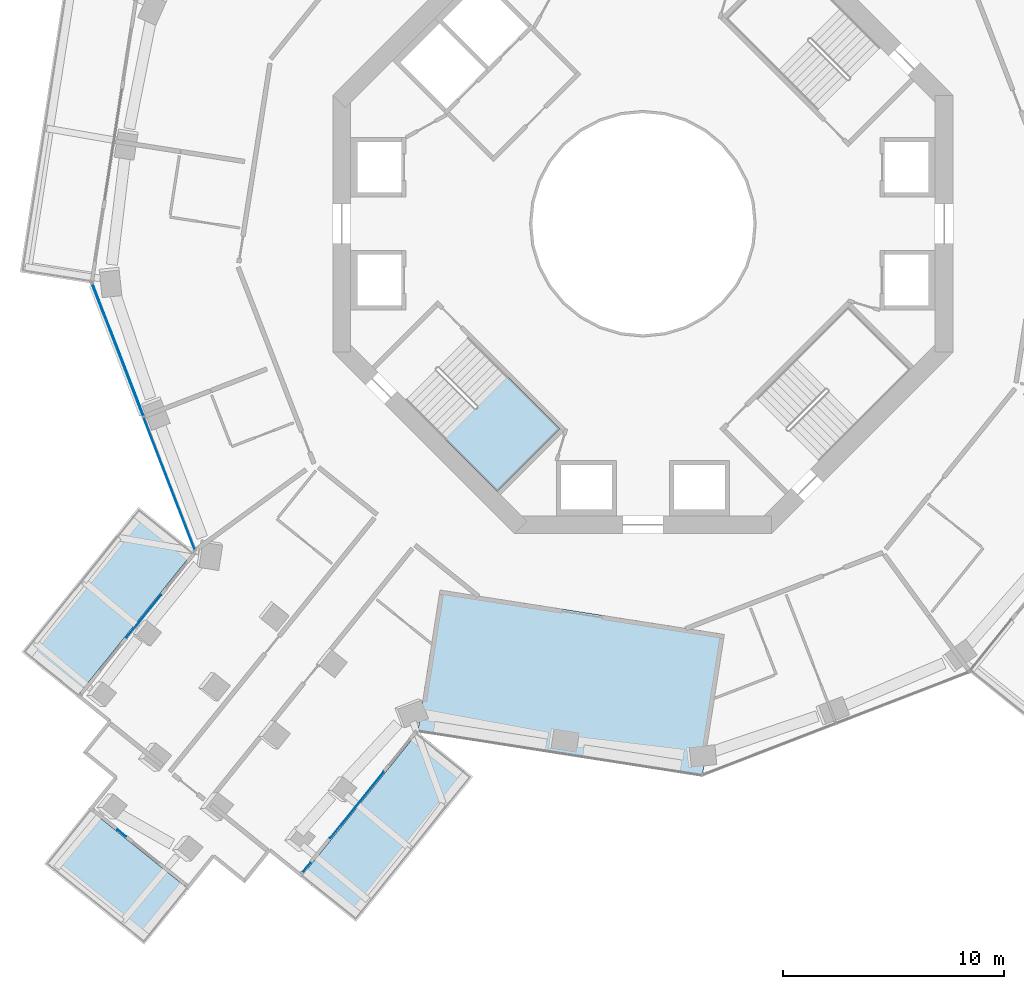
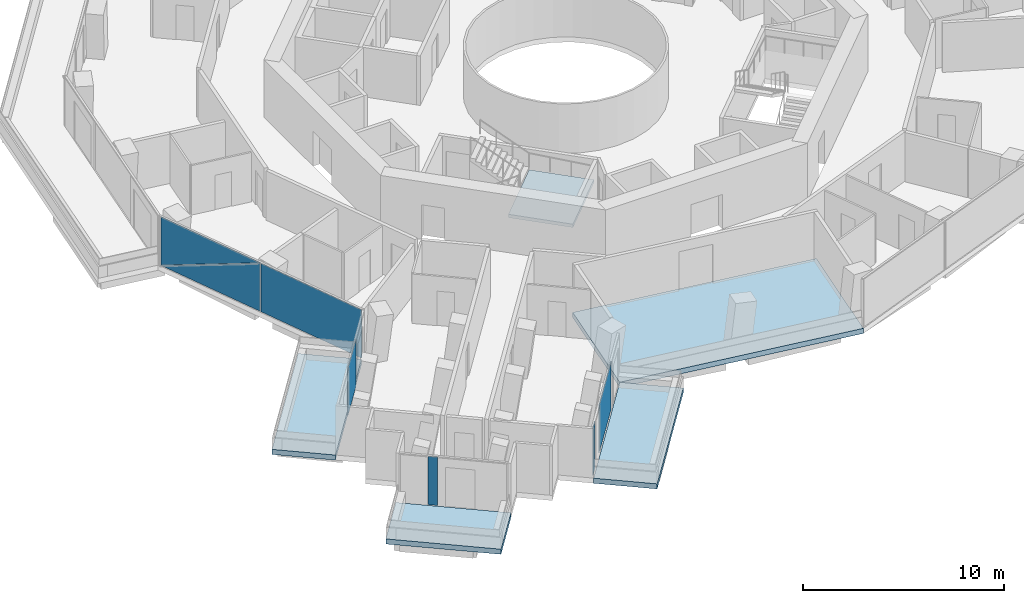
# One storey, part 10 of 23: 7 plates, 5 slabs, 5 elements without a shape of their own.
"""IFC4 building model written with IfcOpenShell, lengths in metres."""

from ifc_helpers import new_model, si_unit, direction, frame, origin, origin_2d, place, context, subcontext, project, spatial, polyline, rectangle, outline, extrude, material, layer, layer_set, type_object, element, aggregate, save


model = new_model("IFC4")

# Units and contexts
model_context = context("Model", 3, precision=1e-05, world=origin(), true_north=direction((0.0, 1.0)))
body_context = subcontext(model_context, "Body", "Model", "MODEL_VIEW")
ifc_project = project(units=[si_unit("LENGTHUNIT", "METRE"), si_unit("AREAUNIT", "SQUARE_METRE"), si_unit("VOLUMEUNIT", "CUBIC_METRE"), si_unit("PLANEANGLEUNIT", "RADIAN"), si_unit("MASSUNIT", "GRAM", prefix="KILO")], contexts=[model_context])

# Site, building, storey
site_placement = place(None, origin())
site = spatial("IfcSite", under=ifc_project, at=site_placement, CompositionType="ELEMENT")
building_placement = place(site_placement, origin())
building = spatial("IfcBuilding", under=site, at=building_placement, Name="Verdalira Terraces Hotel", CompositionType="ELEMENT")
storey_placement = place(building_placement, frame((0.0, 0.0, 118.5)))
storey = spatial("IfcBuildingStorey", under=building, at=storey_placement, Name="L28", CompositionType="ELEMENT", Elevation=118.5)

# Slabs
ifc_material_1 = material(Name="Precast concrete C40/50", Category="concrete")
ifc_layer_1 = layer(ifc_material_1, 0.31005859375)
ifc_layer_set_1 = layer_set([ifc_layer_1], Name="Balcony deck 310")
slab_type_1 = type_object("IfcSlabType", Name="Balcony deck 310", PredefinedType="FLOOR", material=ifc_layer_set_1)
slab_1_placement = place(storey_placement, frame((0.0, 0.0, -0.310059)))
element("IfcSlab", 1, at=slab_1_placement, inside=storey, type_object=slab_type_1, Name="Balcony deck", PredefinedType="FLOOR", context=body_context, shape_type="SweptSolid", body=[
    extrude(outline(polyline([(-28.062012, -19.349121), (-25.571045, -21.357666), (-20.286865, -14.804199), (-22.777832, -12.795654), (-28.062012, -19.349121)])), origin(), (0.0, 0.0, 1.0), 0.310059),
])
slab_2_placement = place(storey_placement, frame((0.0, 0.0, -0.310059)))
element("IfcSlab", 2, at=slab_2_placement, inside=storey, type_object=slab_type_1, Name="Balcony deck", PredefinedType="FLOOR", context=body_context, shape_type="SweptSolid", body=[
    extrude(outline(polyline([(-22.521729, -32.551514), (-20.513184, -30.060547), (-25.02832, -26.419922), (-27.036865, -28.910889), (-22.521729, -32.551514)])), origin(), (0.0, 0.0, 1.0), 0.310059),
])
slab_3_placement = place(storey_placement, frame((0.0, 0.0, -0.310059)))
element("IfcSlab", 3, at=slab_3_placement, inside=storey, type_object=slab_type_1, Name="Balcony deck", PredefinedType="FLOOR", context=body_context, shape_type="SweptSolid", body=[
    extrude(outline(polyline([(-7.675781, -24.9729), (-10.166748, -22.964111), (-15.450928, -29.517822), (-12.959961, -31.526367), (-7.675781, -24.9729)])), origin(), (0.0, 0.0, 1.0), 0.310059),
])

# Curtain wall, plates
ifc_material_2 = material(Name="Clear glass", Category="glass")
ifc_layer_2 = layer(ifc_material_2, 0.14990234375)
ifc_layer_set_2 = layer_set([ifc_layer_2], Name="CW1 curtain wall")
curtain_wall_type_1 = type_object("IfcCurtainWallType", Name="CW1 curtain wall", PredefinedType="NOTDEFINED", material=ifc_layer_set_2)
curtain_wall_1_placement = place(storey_placement, origin())
curtain_wall_1 = element("IfcCurtainWall", 4, at=curtain_wall_1_placement, inside=storey, type_object=curtain_wall_type_1, Name="CW1 curtain wall L28 edge 13", PredefinedType="NOTDEFINED")
ifc_material_3 = material(Name="Clear glass", Category="glass")
ifc_layer_3 = layer(ifc_material_3, 0.028076171875)
ifc_layer_set_3 = layer_set([ifc_layer_3], Name="CW1 glass unit 28")
plate_type_1 = type_object("IfcPlateType", Name="CW1 glass unit 28", PredefinedType="CURTAIN_PANEL", material=ifc_layer_set_3)
plate_1_placement = place(storey_placement, frame((-23.704102, -5.709717, 1.467529), z_axis=(-0.932827815, -0.360322448, 0.0), x_axis=(0.360322448, -0.932827815, 0.0)))
plate_1 = element("IfcPlate", 5, at=plate_1_placement, type_object=plate_type_1, Name="CW1 glass unit", PredefinedType="CURTAIN_PANEL", context=body_context, shape_type="SweptSolid", body=[
    extrude(outline(polyline([(-3.185059, -1.467529), (3.185059, -1.467529), (3.185059, 1.467529), (-3.185059, -1.467529)])), origin(), (0.0, 0.0, 1.0), 0.028076),
])
plate_2_placement = place(storey_placement, frame((-23.677002, -5.699219, 1.467529), z_axis=(-0.932827815, -0.360322448, 0.0), x_axis=(0.360322448, -0.932827815, 0.0)))
plate_2 = element("IfcPlate", 6, at=plate_2_placement, type_object=plate_type_1, Name="CW1 glass unit", PredefinedType="CURTAIN_PANEL", context=body_context, shape_type="SweptSolid", body=[
    extrude(outline(polyline([(-3.185059, -1.467529), (3.185059, 1.467529), (-3.185059, 1.467529), (-3.185059, -1.467529)])), origin(), (0.0, 0.0, 1.0), 0.028076),
])
plate_3_placement = place(storey_placement, frame((-21.393311, -11.731445, 0.0), z_axis=(0.0, 0.0, 1.0), x_axis=(0.360322448, -0.932827815, 0.0)))
plate_3 = element("IfcPlate", 7, at=plate_3_placement, type_object=plate_type_1, Name="CW1 glass unit", PredefinedType="CURTAIN_PANEL", context=body_context, shape_type="SweptSolid", body=[
    extrude(rectangle(XDim=6.409912, YDim=0.028076, at=origin_2d()), origin(), (0.0, 0.0, 1.0), 2.935059),
])
aggregate(curtain_wall_1, [plate_1, plate_2, plate_3])

# Curtain wall, plate
ifc_material_4 = material(Name="Clear glass", Category="glass")
ifc_layer_4 = layer(ifc_material_4, 0.14990234375)
ifc_layer_set_4 = layer_set([ifc_layer_4], Name="CW2 curtain wall")
curtain_wall_type_2 = type_object("IfcCurtainWallType", Name="CW2 curtain wall", PredefinedType="NOTDEFINED", material=ifc_layer_set_4)
curtain_wall_2_placement = place(storey_placement, origin())
curtain_wall_2 = element("IfcCurtainWall", 8, at=curtain_wall_2_placement, inside=storey, type_object=curtain_wall_type_2, Name="CW2 curtain wall L28 edge 14", PredefinedType="NOTDEFINED")
ifc_material_5 = material(Name="Clear glass", Category="glass")
ifc_layer_5 = layer(ifc_material_5, 0.031982421875)
ifc_layer_set_5 = layer_set([ifc_layer_5], Name="CW2 glass unit 32")
plate_type_2 = type_object("IfcPlateType", Name="CW2 glass unit 32", PredefinedType="CURTAIN_PANEL", material=ifc_layer_set_5)
plate_4_placement = place(storey_placement, frame((-22.550049, -17.730469, 0.0), z_axis=(0.0, 0.0, 1.0), x_axis=(-0.627691361, -0.778462302, 0.0)))
plate_4 = element("IfcPlate", 9, at=plate_4_placement, type_object=plate_type_2, Name="CW2 glass unit", PredefinedType="CURTAIN_PANEL", context=body_context, shape_type="SweptSolid", body=[
    extrude(rectangle(XDim=2.480469, YDim=0.031982, at=origin_2d()), origin(), (0.0, 0.0, 1.0), 2.935059),
])
aggregate(curtain_wall_2, [plate_4])

# Curtain wall, plates
curtain_wall_3_placement = place(storey_placement, origin())
curtain_wall_3 = element("IfcCurtainWall", 10, at=curtain_wall_3_placement, inside=storey, type_object=curtain_wall_type_2, Name="CW2 curtain wall L28 edge 24", PredefinedType="NOTDEFINED")
plate_5_placement = place(storey_placement, frame((-15.195557, -29.081299, 0.0), z_axis=(0.0, 0.0, 1.0), x_axis=(0.627691361, 0.778462302, 0.0)))
plate_5 = element("IfcPlate", 11, at=plate_5_placement, type_object=plate_type_2, Name="CW2 glass unit", PredefinedType="CURTAIN_PANEL", context=body_context, shape_type="SweptSolid", body=[
    extrude(rectangle(XDim=0.560059, YDim=0.031982, at=origin_2d()), origin(), (0.0, 0.0, 1.0), 2.935059),
])
plate_6_placement = place(storey_placement, frame((-12.917969, -26.256836, 0.0), z_axis=(0.0, 0.0, 1.0), x_axis=(0.627691361, 0.778462302, 0.0)))
plate_6 = element("IfcPlate", 12, at=plate_6_placement, type_object=plate_type_2, Name="CW2 glass unit", PredefinedType="CURTAIN_PANEL", context=body_context, shape_type="SweptSolid", body=[
    extrude(rectangle(XDim=3.840088, YDim=0.031982, at=origin_2d()), origin(), (0.0, 0.0, 1.0), 2.935059),
])
aggregate(curtain_wall_3, [plate_5, plate_6])

# Curtain wall, plate
ifc_material_6 = material(Name="Clear glass", Category="glass")
ifc_layer_6 = layer(ifc_material_6, 0.14990234375)
ifc_layer_set_6 = layer_set([ifc_layer_6], Name="CW3 curtain wall")
curtain_wall_type_3 = type_object("IfcCurtainWallType", Name="CW3 curtain wall", PredefinedType="NOTDEFINED", material=ifc_layer_set_6)
curtain_wall_4_placement = place(storey_placement, origin())
curtain_wall_4 = element("IfcCurtainWall", 13, at=curtain_wall_4_placement, inside=storey, type_object=curtain_wall_type_3, Name="CW3 curtain wall L28 edge 19", PredefinedType="NOTDEFINED")
ifc_material_7 = material(Name="Clear glass", Category="glass")
ifc_layer_7 = layer(ifc_material_7, 0.035888671875)
ifc_layer_set_7 = layer_set([ifc_layer_7], Name="CW3 glass unit 36")
plate_type_3 = type_object("IfcPlateType", Name="CW3 glass unit 36", PredefinedType="CURTAIN_PANEL", material=ifc_layer_set_7)
plate_7_placement = place(storey_placement, frame((-23.539307, -27.52417, 0.0), z_axis=(0.0, 0.0, 1.0), x_axis=(0.778462302, -0.627691361, 0.0)))
plate_7 = element("IfcPlate", 14, at=plate_7_placement, type_object=plate_type_3, Name="CW3 glass unit", PredefinedType="CURTAIN_PANEL", context=body_context, shape_type="SweptSolid", body=[
    extrude(rectangle(XDim=0.495605, YDim=0.035889, at=origin_2d()), origin(), (0.0, 0.0, 1.0), 2.935059),
])
aggregate(curtain_wall_4, [plate_7])

# Stair, slab
ifc_material_8 = material(Name="Concrete C40", Category="concrete")
stair_type = type_object("IfcStairType", Name="Core stair 20 risers 1950 mm wide", PredefinedType="HALF_TURN_STAIR", material=ifc_material_8)
stair_placement = place(storey_placement, origin())
stair = element("IfcStair", 15, at=stair_placement, inside=storey, type_object=stair_type, Name="L28 Exit stair ST2", PredefinedType="HALF_TURN_STAIR")
ifc_material_9 = material(Name="Concrete C40", Category="concrete")
ifc_layer_8 = layer(ifc_material_9, 0.199951171875)
ifc_layer_set_8 = layer_set([ifc_layer_8], Name="Core stair landing 200 mm")
slab_type_2 = type_object("IfcSlabType", Name="Core stair landing 200 mm", PredefinedType="LANDING", material=ifc_layer_set_8)
slab_4_placement = place(storey_placement, frame((0.0, 0.0, 1.550049)))
slab_4 = element("IfcSlab", 16, at=slab_4_placement, type_object=slab_type_2, Name="ST2 landing 1", PredefinedType="LANDING", context=body_context, shape_type="SweptSolid", body=[
    extrude(outline(polyline([(-8.931152, -9.736572), (-6.576172, -12.091553), (-3.747559, -9.263184), (-6.102783, -6.907959), (-8.931152, -9.736572)])), origin(), (0.0, 0.0, 1.0), 0.199951),
])
aggregate(stair, [slab_4])

# Slab
ifc_material_10 = material(Name="Concrete C40", Category="concrete")
ifc_layer_9 = layer(ifc_material_10, 0.31005859375)
ifc_layer_set_9 = layer_set([ifc_layer_9], Name="Loggia floor deck 310 C40")
slab_type_3 = type_object("IfcSlabType", Name="Loggia floor deck 310 C40", PredefinedType="FLOOR", material=ifc_layer_set_9)
slab_5_placement = place(storey_placement, frame((0.0, 0.0, -0.310059)))
element("IfcSlab", 17, at=slab_5_placement, inside=storey, type_object=slab_type_3, Name="Loggia deck L28", PredefinedType="FLOOR", context=body_context, shape_type="SweptSolid", body=[
    extrude(outline(polyline([(-9.16333, -16.541992), (-10.166748, -22.964111), (2.67749, -24.970947), (3.680908, -18.548828), (-9.16333, -16.541992)])), origin(), (0.0, 0.0, 1.0), 0.310059),
])

save(model, "model.ifc")
